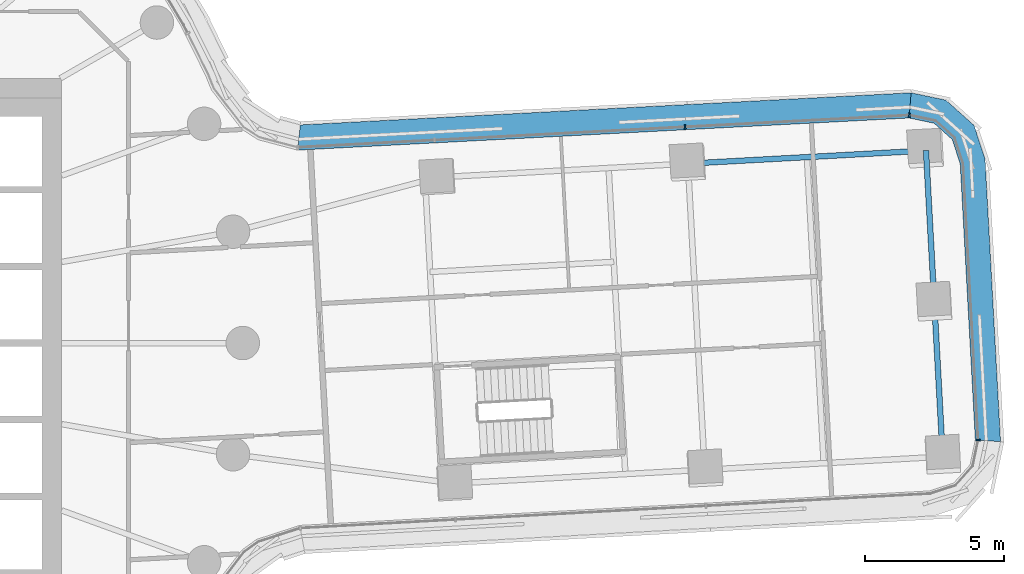
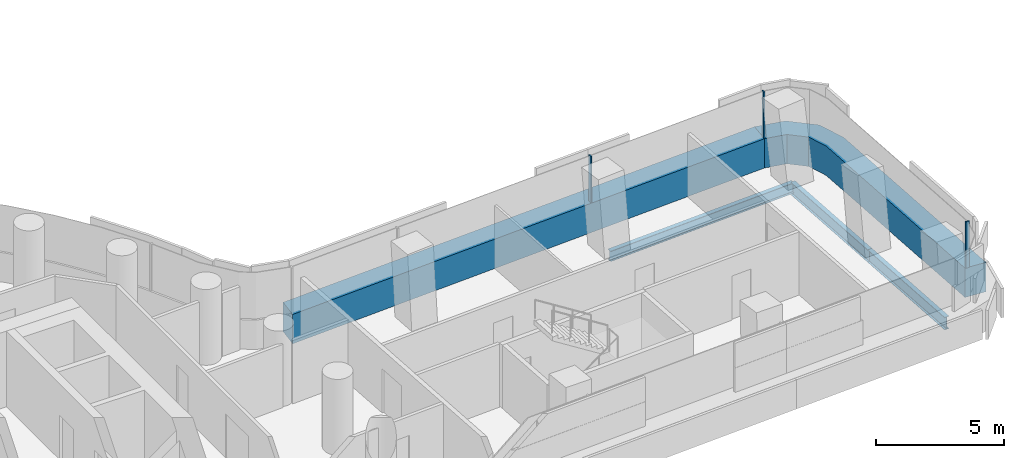
# One storey, part 12 of 31: 5 members, 3 beams, 2 elements without a shape of their own.
"""IFC4 building model written with IfcOpenShell, lengths in metres."""

from ifc_helpers import new_model, si_unit, direction, frame, origin, origin_2d, place, context, subcontext, project, spatial, polyline, rectangle, i_section, outline, extrude, material, layer, layer_set, material_profile, profile_set, type_object, element, aggregate, save


model = new_model("IFC4")

# Units and contexts
model_context = context("Model", 3, precision=1e-05, world=origin(), true_north=direction((0.0, 1.0)))
body_context = subcontext(model_context, "Body", "Model", "MODEL_VIEW")
ifc_project = project(units=[si_unit("LENGTHUNIT", "METRE"), si_unit("AREAUNIT", "SQUARE_METRE"), si_unit("VOLUMEUNIT", "CUBIC_METRE"), si_unit("PLANEANGLEUNIT", "RADIAN"), si_unit("MASSUNIT", "GRAM", prefix="KILO")], contexts=[model_context])

# Site, building, storey
site_placement = place(None, origin())
site = spatial("IfcSite", under=ifc_project, at=site_placement, CompositionType="ELEMENT")
building_placement = place(site_placement, origin())
building = spatial("IfcBuilding", under=site, at=building_placement, Name="Tamarind Cross Interchange Tower", CompositionType="ELEMENT")
storey_placement = place(building_placement, frame((0.0, 0.0, 45.25)))
storey = spatial("IfcBuildingStorey", under=building, at=storey_placement, Name="L09", CompositionType="ELEMENT", Elevation=45.25)

# Beams
ifc_material_1 = material(Name="Steel Q355B", Category="steel")
ifc_material_profile_1 = material_profile(ifc_material_1, i_section(OverallWidth=0.198974609375, OverallDepth=0.49609375, WebThickness=0.009033203125, FlangeThickness=0.013916015625, FilletRadius=0.012939453125, at=origin_2d()), Name="HN 496x199x9x14")
ifc_profile_set_1 = profile_set([ifc_material_profile_1], Name="Steel Q355B")
beam_type_1 = type_object("IfcBeamType", Name="Composite beam HN 496x199x9x14 Q355B", PredefinedType="BEAM", material=ifc_profile_set_1)
beam_1_placement = place(storey_placement, frame((47.51611328125, 6.905517578125, -0.387939453125), z_axis=(-0.998504201723, -0.054675032165, 0.0), x_axis=(0.054675032165, -0.998504201723, 0.0)))
element("IfcBeam", 1, at=beam_1_placement, inside=storey, type_object=beam_type_1, Name="Beam E-edgeep2", PredefinedType="BEAM", context=body_context, shape_type="SweptSolid", body=[
    extrude(i_section(OverallWidth=0.198974609375, OverallDepth=0.49609375, WebThickness=0.009033203125, FlangeThickness=0.013916015625, FilletRadius=0.012939453125, at=origin_2d()), origin(), (0.0, 0.0, 1.0), 8.555419921875),
])
ifc_material_profile_2 = material_profile(ifc_material_1, i_section(OverallWidth=0.199951171875, OverallDepth=0.60009765625, WebThickness=0.010986328125, FlangeThickness=0.01708984375, FilletRadius=0.012939453125, at=origin_2d()), Name="HN 600x200x11x17")
ifc_profile_set_2 = profile_set([ifc_material_profile_2], Name="Steel Q355B")
beam_type_2 = type_object("IfcBeamType", Name="Composite beam HN 600x200x11x17 Q355B", PredefinedType="BEAM", material=ifc_profile_set_2)
beam_2_placement = place(storey_placement, frame((48.117431640625, -4.078125, -0.43994140625), z_axis=(-0.054685772478, 0.998503613558, 0.0), x_axis=(-0.998503613558, -0.054685772478, 0.0)))
element("IfcBeam", 2, at=beam_2_placement, inside=storey, type_object=beam_type_2, Name="Beam E-tip0", PredefinedType="BEAM", context=body_context, shape_type="SweptSolid", body=[
    extrude(i_section(OverallWidth=0.199951171875, OverallDepth=0.60009765625, WebThickness=0.010986328125, FlangeThickness=0.01708984375, FilletRadius=0.012939453125, at=origin_2d()), origin(), (0.0, 0.0, 1.0), 5.500244140625),
])
beam_3_placement = place(storey_placement, frame((47.816650390625, 1.413818359375, -0.43994140625), z_axis=(-0.054643939165, 0.998505903795, 0.0), x_axis=(-0.998505903795, -0.054643939165, 0.0)))
element("IfcBeam", 3, at=beam_3_placement, inside=storey, type_object=beam_type_2, Name="Beam E-tip1", PredefinedType="BEAM", context=body_context, shape_type="SweptSolid", body=[
    extrude(i_section(OverallWidth=0.199951171875, OverallDepth=0.60009765625, WebThickness=0.010986328125, FlangeThickness=0.01708984375, FilletRadius=0.012939453125, at=origin_2d()), origin(), (0.0, 0.0, 1.0), 5.5),
])

# Curtain wall, member
ifc_material_2 = material(Name="Aluminium 6063-T6", Category="aluminium")
ifc_layer = layer(ifc_material_2, 0.159912109375)
ifc_layer_set = layer_set([ifc_layer], Name="Aluminium 6063-T6")
curtain_wall_type = type_object("IfcCurtainWallType", Name="Office curtain wall, 9.0 m bays", PredefinedType="NOTDEFINED", material=ifc_layer_set)
curtain_wall_1_placement = place(storey_placement, origin())
curtain_wall_1 = element("IfcCurtainWall", 4, at=curtain_wall_1_placement, inside=storey, type_object=curtain_wall_type, Name="CWS-L09-08", PredefinedType="NOTDEFINED")
ifc_material_3 = material(Name="Aluminium and insulated spandrel panel", Category="aluminium")
member_type_1 = type_object("IfcMemberType", Name="Floor-edge blade transom", PredefinedType="USERDEFINED", material=ifc_material_3)
member_1_placement = place(storey_placement, origin())
member_1 = element("IfcMember", 5, at=member_1_placement, type_object=member_type_1, Name="CWT-L09-08", ObjectType="TRANSOM", PredefinedType="USERDEFINED", context=body_context, shape_type="SweptSolid", body=[
    extrude(outline(polyline([(49.2861328125, -3.4736328125), (48.74365234375, 6.432373046875), (48.458740234375, 7.30224609375), (47.8076171875, 7.885986328125), (46.911376953125, 8.07421875), (46.9814453125, 8.979248046875), (48.228515625, 8.71728515625), (49.239013671875, 7.811767578125), (49.635986328125, 6.599853515625), (50.19140625, -3.542724609375), (49.2861328125, -3.4736328125)])), origin(), (0.0, 0.0, 1.0), 1.39990234375),
])

curtain_wall_2_placement = place(storey_placement, origin())
curtain_wall_2 = element("IfcCurtainWall", 6, at=curtain_wall_2_placement, inside=storey, type_object=curtain_wall_type, Name="CWS-L09-09", PredefinedType="NOTDEFINED")
member_2_placement = place(storey_placement, origin())
member_2 = element("IfcMember", 7, at=member_2_placement, type_object=member_type_1, Name="CWT-L09-09", ObjectType="TRANSOM", PredefinedType="USERDEFINED", context=body_context, shape_type="SweptSolid", body=[
    extrude(outline(polyline([(46.911376953125, 8.07421875), (24.969970703125, 6.921142578125), (25.063720703125, 7.827392578125), (46.9814453125, 8.979248046875), (46.911376953125, 8.07421875)])), origin(), (0.0, 0.0, 1.0), 1.39990234375),
])

# Member
ifc_material_profile_3 = material_profile(ifc_material_2, rectangle(XDim=0.06005859375, YDim=0.159912109375, at=origin_2d()), Name="Mullion CW1")
ifc_profile_set_3 = profile_set([ifc_material_profile_3], Name="Aluminium 6063-T6")
member_type_2 = type_object("IfcMemberType", Name="Mullion CW1", PredefinedType="MULLION", material=ifc_profile_set_3)
member_3_placement = place(storey_placement, frame((49.38671875, -3.4814453125, 1.39990234375), z_axis=(0.0, 0.0, 1.0), x_axis=(0.07612039058, 0.997098634107, 0.0)))
member_3 = element("IfcMember", 8, at=member_3_placement, type_object=member_type_2, Name="CWM-L09-08-00", PredefinedType="MULLION", context=body_context, shape_type="SweptSolid", body=[
    extrude(rectangle(XDim=0.06005859375, YDim=0.159912109375, at=origin_2d()), origin(), (0.0, 0.0, 1.0), 2.210205078125),
])

aggregate(curtain_wall_1, [member_3, member_1])

member_4_placement = place(storey_placement, frame((46.919189453125, 8.1748046875, 1.39990234375), z_axis=(0.0, 0.0, 1.0), x_axis=(-0.997014160113, 0.077218938957, 0.0)))
member_4 = element("IfcMember", 9, at=member_4_placement, type_object=member_type_2, Name="CWM-L09-09-00", PredefinedType="MULLION", context=body_context, shape_type="SweptSolid", body=[
    extrude(rectangle(XDim=0.06005859375, YDim=0.159912109375, at=origin_2d()), origin(), (0.0, 0.0, 1.0), 2.210205078125),
])

member_5_placement = place(storey_placement, frame((38.873046875, 7.751953125, 1.39990234375), z_axis=(0.0, 0.0, 1.0), x_axis=(-0.998622085659, -0.052477900426, 0.0)))
member_5 = element("IfcMember", 10, at=member_5_placement, type_object=member_type_2, Name="CWM-L09-09-01", PredefinedType="MULLION", context=body_context, shape_type="SweptSolid", body=[
    extrude(rectangle(XDim=0.06005859375, YDim=0.159912109375, at=origin_2d()), origin(), (0.0, 0.0, 1.0), 2.210205078125),
])

aggregate(curtain_wall_2, [member_4, member_5, member_2])

save(model, "model.ifc")
